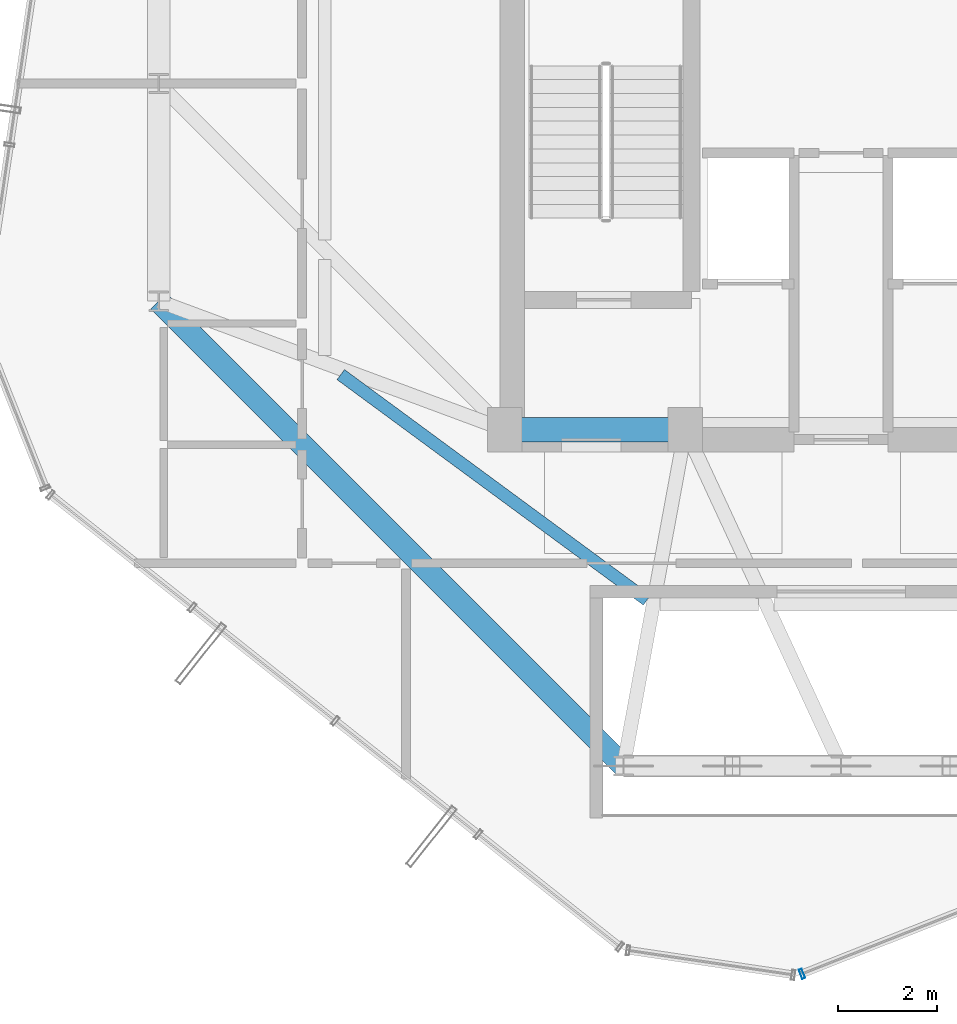
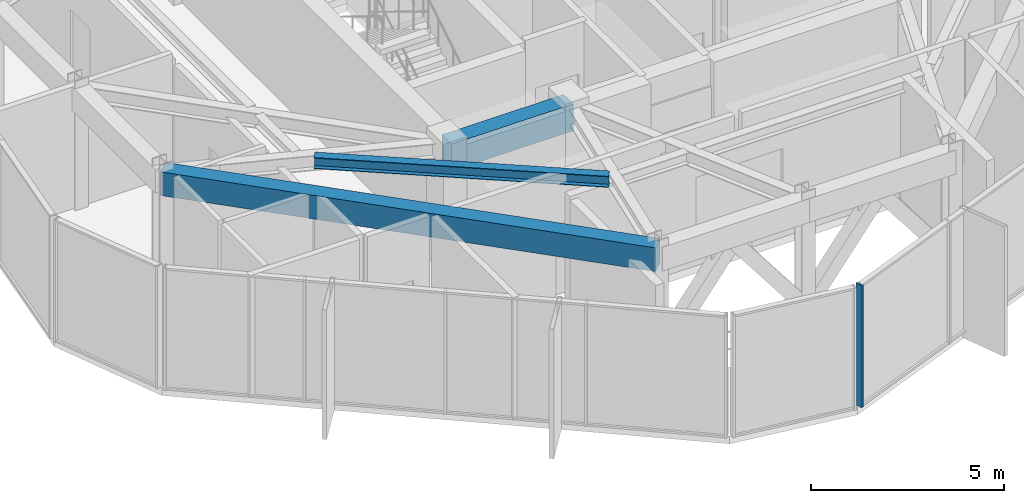
# One storey, part 5 of 22: 3 beams, 1 member, 1 element without a shape of its own.
"""IFC4 building model written with IfcOpenShell, lengths in metres."""

from ifc_helpers import new_model, si_unit, direction, frame, origin, origin_2d, place, context, subcontext, project, spatial, rectangle, hollow_rectangle, i_section, extrude, source, transform, mapped, material, layer, layer_set, material_profile, profile_set, type_object, element, aggregate, save


model = new_model("IFC4")

# Units and contexts
model_context = context("Model", 3, precision=1e-05, world=origin(), true_north=direction((0.0, 1.0)))
body_context = subcontext(model_context, "Body", "Model", "MODEL_VIEW")
ifc_project = project(units=[si_unit("LENGTHUNIT", "METRE"), si_unit("AREAUNIT", "SQUARE_METRE"), si_unit("VOLUMEUNIT", "CUBIC_METRE"), si_unit("PLANEANGLEUNIT", "RADIAN"), si_unit("MASSUNIT", "GRAM", prefix="KILO")], contexts=[model_context])

# Site, building, storey
site_placement = place(None, origin())
site = spatial("IfcSite", under=ifc_project, at=site_placement, CompositionType="ELEMENT")
building_placement = place(site_placement, origin())
building = spatial("IfcBuilding", under=site, at=building_placement, Name="Veraguas Prism Commons", CompositionType="ELEMENT")
storey_placement = place(building_placement, frame((0.0, 0.0, 236.550048828125)))
storey = spatial("IfcBuildingStorey", under=building, at=storey_placement, Name="L67", CompositionType="ELEMENT", Elevation=236.550048828125)

# Beams
ifc_material_1 = material(Name="Concrete C50/60", Category="concrete")
ifc_material_profile_1 = material_profile(ifc_material_1, rectangle(XDim=0.5, YDim=0.85009765625, at=origin_2d()), Name="RC500X850")
ifc_profile_set_1 = profile_set([ifc_material_profile_1], Name="Concrete C50/60")
beam_type_1 = type_object("IfcBeamType", Name="Core Coupling Beam RC 500x850", PredefinedType="BEAM", material=ifc_profile_set_1)
beam_1_placement = place(storey_placement, frame((17.199951171875, 17.0, 3.43994140625), z_axis=(1.0, 0.0, 0.0), x_axis=(0.0, 1.0, 0.0)))
element("IfcBeam", 1, at=beam_1_placement, inside=storey, type_object=beam_type_1, Name="Core Coupling Beam L67-CRS1", PredefinedType="BEAM", context=body_context, shape_type="SweptSolid", body=[
    extrude(rectangle(XDim=0.5, YDim=0.85009765625, at=origin_2d()), origin(), (0.0, 0.0, 1.0), 3.650146484375),
])
ifc_material_profile_2 = material_profile(ifc_material_1, rectangle(XDim=0.449951171875, YDim=0.75, at=origin_2d()), Name="RC450X750")
ifc_profile_set_2 = profile_set([ifc_material_profile_2], Name="Concrete C50/60")
beam_type_2 = type_object("IfcBeamType", Name="Perimeter Spandrel Upper RC 450x750", PredefinedType="SPANDREL", material=ifc_profile_set_2)
beam_2_placement = place(storey_placement, frame((10.199951171875, 19.60009765625, 3.489990234375), z_axis=(0.707106781187, -0.707106781187, 0.0), x_axis=(0.707106781187, 0.707106781187, 0.0)))
element("IfcBeam", 2, at=beam_2_placement, inside=storey, type_object=beam_type_2, Name="Perimeter Spandrel Beam L67-SP09", PredefinedType="SPANDREL", context=body_context, shape_type="SweptSolid", body=[
    extrude(rectangle(XDim=0.449951171875, YDim=0.75, at=origin_2d()), origin(), (0.0, 0.0, 1.0), 13.293701171875),
])
ifc_material_2 = material(Name="Steel ASTM A992 Grade 50", Category="steel")
ifc_material_profile_3 = material_profile(ifc_material_2, i_section(OverallWidth=0.25390625, OverallDepth=0.35302734375, WebThickness=0.009521484375, FlangeThickness=0.016357421875, at=origin_2d()), Name="W360X91")
ifc_profile_set_3 = profile_set([ifc_material_profile_3], Name="Steel ASTM A992 Grade 50")
beam_type_3 = type_object("IfcBeamType", Name="Upper Floor Joist W360x91", PredefinedType="JOIST", material=ifc_profile_set_3)
beam_3_placement = place(storey_placement, frame((13.881103515625, 18.11572265625, 3.6884765625), z_axis=(0.805319835229, -0.592840588174, 0.0), x_axis=(0.592840588174, 0.805319835229, 0.0)))
element("IfcBeam", 3, at=beam_3_placement, inside=storey, type_object=beam_type_3, Name="Composite Floor Joist L67-JS09", PredefinedType="JOIST", context=body_context, shape_type="SweptSolid", body=[
    extrude(i_section(OverallWidth=0.25390625, OverallDepth=0.35302734375, WebThickness=0.009521484375, FlangeThickness=0.016357421875, at=origin_2d()), origin(), (0.0, 0.0, 1.0), 7.69140625),
])

# Curtain wall, member
ifc_material_3 = material(Name="Anodised aluminium EN AW-6063 T6", Category="aluminium")
ifc_layer = layer(ifc_material_3, 0.199951171875, Name="Sky Lobby and Pool Acoustic Curtain Wall", Category="aluminium")
ifc_layer_set = layer_set([ifc_layer], Name="Anodised aluminium EN AW-6063 T6")
curtain_wall_type = type_object("IfcCurtainWallType", Name="Sky Lobby and Pool Acoustic Curtain Wall", PredefinedType="NOTDEFINED", material=ifc_layer_set)
curtain_wall_placement = place(storey_placement, origin())
curtain_wall = element("IfcCurtainWall", 4, at=curtain_wall_placement, inside=storey, type_object=curtain_wall_type, Name="Tower Facade Curtain Wall L67-F5", PredefinedType="NOTDEFINED")
ifc_material_profile_4 = material_profile(ifc_material_3, hollow_rectangle(XDim=0.06494140625, YDim=0.199951171875, WallThickness=0.00390625, at=origin_2d()), Name="AL65X200X4")
ifc_profile_set_4 = profile_set([ifc_material_profile_4], Name="Anodised aluminium EN AW-6063 T6")
member_type = type_object("IfcMemberType", Name="Curtain Wall Mullion Heavy AL 65x200x4", PredefinedType="MULLION", material=ifc_profile_set_4)
shared_shape = source(origin(), body_context, "Body", "SweptSolid", [
    extrude(hollow_rectangle(XDim=0.06494140625, YDim=0.199951171875, WallThickness=0.00390625, at=origin_2d()), origin(), (0.0, 0.0, 1.0), 3.864990234375),
])
member_placement = place(storey_placement, frame((23.210205078125, 5.99560546875, 0.0), z_axis=(0.0, 0.0, 1.0), x_axis=(0.930030051844, 0.367483472645, 0.0)))
member = element("IfcMember", 5, at=member_placement, type_object=member_type, Name="CW-SKY Mullion 1", PredefinedType="MULLION", context=body_context, shape_type="MappedRepresentation", body=[
    mapped(shared_shape, transform((0.0, 0.0, 0.0), scale=1.0)),
])
aggregate(curtain_wall, [member])

save(model, "model.ifc")
